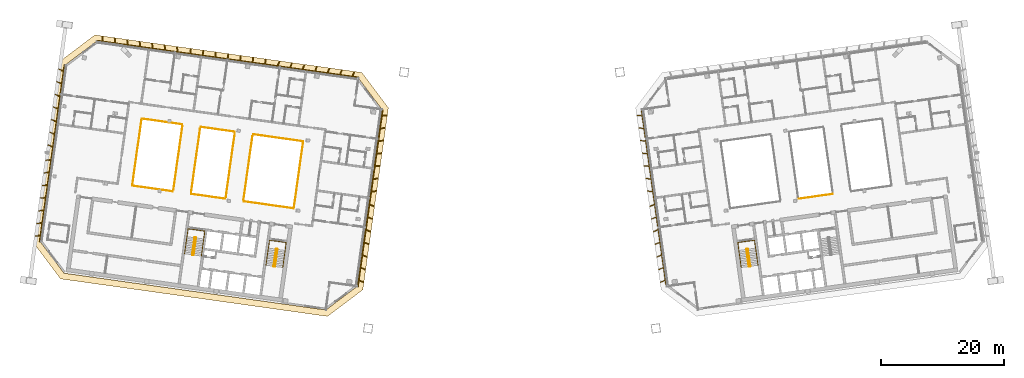
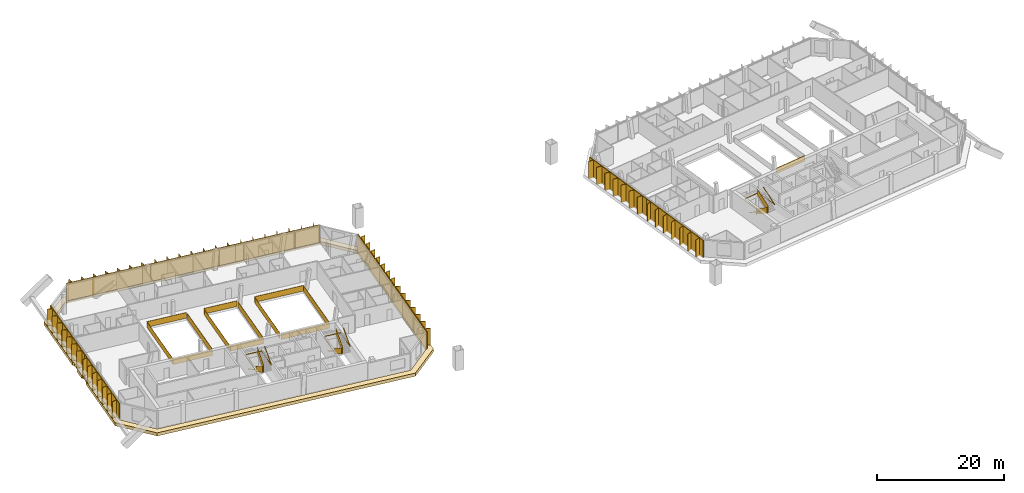
# One storey, part 25 of 26: 15 railings, 9 shading devices, 1 covering.
"""IFC4 building model written with IfcOpenShell, lengths in metres."""

from ifc_helpers import new_model, si_unit, direction, frame, origin, origin_2d, place, context, subcontext, project, spatial, polyline, rectangle, outline, extrude, material, layer, layer_set, type_object, element, save


model = new_model("IFC4")

# Units and contexts
model_context = context("Model", 3, precision=1e-05, world=origin(), true_north=direction((0.0, 1.0)))
body_context = subcontext(model_context, "Body", "Model", "MODEL_VIEW")
ifc_project = project(units=[si_unit("LENGTHUNIT", "METRE"), si_unit("AREAUNIT", "SQUARE_METRE"), si_unit("VOLUMEUNIT", "CUBIC_METRE"), si_unit("PLANEANGLEUNIT", "RADIAN"), si_unit("MASSUNIT", "GRAM", prefix="KILO")], contexts=[model_context])

# Site, building, storey
site_placement = place(None, origin())
site = spatial("IfcSite", under=ifc_project, at=site_placement, CompositionType="ELEMENT")
building_placement = place(site_placement, origin())
building = spatial("IfcBuilding", under=site, at=building_placement, Name="Mirante Cascada Hotel Towers", CompositionType="ELEMENT")
storey_placement = place(building_placement, frame((0.0, 0.0, 228.0)))
storey = spatial("IfcBuildingStorey", under=building, at=storey_placement, Name="L54", CompositionType="ELEMENT", Elevation=228.0)

# Railings
ifc_material_1 = material(Name="Toughened glass with stainless steel handrail", Category="steel")
railing_type_1 = type_object("IfcRailingType", Name="Atrium guard 1100 glass balustrade", PredefinedType="GUARDRAIL", material=ifc_material_1)
railing_1_placement = place(storey_placement, frame((-42.0505, 7.3683, 0.0)))
element("IfcRailing", 1, at=railing_1_placement, inside=storey, type_object=railing_type_1, Name="GUARD 1-L54-1", PredefinedType="GUARDRAIL", context=body_context, shape_type="SweptSolid", body=[
    extrude(rectangle(XDim=0.048, YDim=0.048, at=origin_2d()), frame((0.0, 0.0, 1.076), z_axis=(0.9902677, -0.1391758, 0.0), x_axis=(0.1391758, 0.9902677, 0.0)), (0.0, 0.0, 1.0), 8.2371),
    extrude(rectangle(XDim=0.02, YDim=1.052, at=origin_2d()), frame((0.0, 0.0, 0.526), z_axis=(0.9902677, -0.1391758, 0.0), x_axis=(0.1391758, 0.9902677, 0.0)), (0.0, 0.0, 1.0), 8.2371),
    extrude(rectangle(XDim=0.048, YDim=0.048, at=origin_2d()), frame((8.1569, -1.1464, 1.076), z_axis=(-0.1391733, -0.990268, 0.0), x_axis=(0.990268, -0.1391733, 0.0)), (0.0, 0.0, 1.0), 11.0),
    extrude(rectangle(XDim=0.02, YDim=1.052, at=origin_2d()), frame((8.1569, -1.1464, 0.526), z_axis=(-0.1391733, -0.990268, 0.0), x_axis=(0.990268, -0.1391733, 0.0)), (0.0, 0.0, 1.0), 11.0),
    extrude(rectangle(XDim=0.048, YDim=0.048, at=origin_2d()), frame((6.626, -12.0393, 1.076), z_axis=(-0.9902694, 0.1391639, 0.0), x_axis=(-0.1391639, -0.9902694, 0.0)), (0.0, 0.0, 1.0), 8.2371),
    extrude(rectangle(XDim=0.02, YDim=1.052, at=origin_2d()), frame((6.626, -12.0393, 0.526), z_axis=(-0.9902694, 0.1391639, 0.0), x_axis=(-0.1391639, -0.9902694, 0.0)), (0.0, 0.0, 1.0), 8.2371),
])
railing_2_placement = place(storey_placement, frame((-46.5522, -3.1072, 0.0)))
element("IfcRailing", 2, at=railing_2_placement, inside=storey, type_object=railing_type_1, Name="GUARD 1-L54-2", PredefinedType="GUARDRAIL", context=body_context, shape_type="SweptSolid", body=[
    extrude(rectangle(XDim=0.048, YDim=0.048, at=origin_2d()), frame((0.0, 0.0, 1.076), z_axis=(-0.9902669, 0.1391811, 0.0), x_axis=(-0.1391811, -0.9902669, 0.0)), (0.0, 0.0, 1.0), 5.5877),
    extrude(rectangle(XDim=0.02, YDim=1.052, at=origin_2d()), frame((0.0, 0.0, 0.526), z_axis=(-0.9902669, 0.1391811, 0.0), x_axis=(-0.1391811, -0.9902669, 0.0)), (0.0, 0.0, 1.0), 5.5877),
])
railing_3_placement = place(storey_placement, frame((-50.5546, 8.5634, 0.0)))
element("IfcRailing", 3, at=railing_3_placement, inside=storey, type_object=railing_type_1, Name="GUARD 1-L54-3", PredefinedType="GUARDRAIL", context=body_context, shape_type="SweptSolid", body=[
    extrude(rectangle(XDim=0.048, YDim=0.048, at=origin_2d()), frame((0.0, 0.0, 1.076), z_axis=(0.9902694, -0.1391635, 0.0), x_axis=(0.1391635, 0.9902694, 0.0)), (0.0, 0.0, 1.0), 5.5877),
    extrude(rectangle(XDim=0.02, YDim=1.052, at=origin_2d()), frame((0.0, 0.0, 0.526), z_axis=(0.9902694, -0.1391635, 0.0), x_axis=(0.1391635, 0.9902694, 0.0)), (0.0, 0.0, 1.0), 5.5877),
])
railing_4_placement = place(storey_placement, frame((-55.0563, -1.912, 0.0)))
element("IfcRailing", 4, at=railing_4_placement, inside=storey, type_object=railing_type_1, Name="GUARD 1-L54-4", PredefinedType="GUARDRAIL", context=body_context, shape_type="SweptSolid", body=[
    extrude(rectangle(XDim=0.048, YDim=0.048, at=origin_2d()), frame((0.0, 0.0, 1.076), z_axis=(-0.9902684, 0.1391706, 0.0), x_axis=(-0.1391706, -0.9902684, 0.0)), (0.0, 0.0, 1.0), 6.6753),
    extrude(rectangle(XDim=0.02, YDim=1.052, at=origin_2d()), frame((0.0, 0.0, 0.526), z_axis=(-0.9902684, 0.1391706, 0.0), x_axis=(-0.1391706, -0.9902684, 0.0)), (0.0, 0.0, 1.0), 6.6753),
    extrude(rectangle(XDim=0.048, YDim=0.048, at=origin_2d()), frame((-6.6103, 0.929, 1.076), z_axis=(0.1391721, 0.9902682, 0.0), x_axis=(-0.9902682, 0.1391721, 0.0)), (0.0, 0.0, 1.0), 11.0001),
    extrude(rectangle(XDim=0.02, YDim=1.052, at=origin_2d()), frame((-6.6103, 0.929, 0.526), z_axis=(0.1391721, 0.9902682, 0.0), x_axis=(-0.9902682, 0.1391721, 0.0)), (0.0, 0.0, 1.0), 11.0001),
    extrude(rectangle(XDim=0.048, YDim=0.048, at=origin_2d()), frame((-5.0794, 11.822, 1.076), z_axis=(0.9902684, -0.1391706, 0.0), x_axis=(0.1391706, 0.9902684, 0.0)), (0.0, 0.0, 1.0), 6.6753),
    extrude(rectangle(XDim=0.02, YDim=1.052, at=origin_2d()), frame((-5.0794, 11.822, 0.526), z_axis=(0.9902684, -0.1391706, 0.0), x_axis=(0.1391706, 0.9902684, 0.0)), (0.0, 0.0, 1.0), 6.6753),
])
railing_5_placement = place(storey_placement, frame((-54.9666, -1.626, 0.0)))
element("IfcRailing", 5, at=railing_5_placement, inside=storey, type_object=railing_type_1, Name="GUARD 1-L54-5", PredefinedType="GUARDRAIL", context=body_context, shape_type="SweptSolid", body=[
    extrude(rectangle(XDim=0.048, YDim=0.048, at=origin_2d()), frame((0.0, 0.0, 1.076), z_axis=(0.1391721, 0.9902682, 0.0), x_axis=(-0.9902682, 0.1391721, 0.0)), (0.0, 0.0, 1.0), 10.4087),
    extrude(rectangle(XDim=0.02, YDim=1.052, at=origin_2d()), frame((0.0, 0.0, 0.526), z_axis=(0.1391721, 0.9902682, 0.0), x_axis=(-0.9902682, 0.1391721, 0.0)), (0.0, 0.0, 1.0), 10.4087),
])
railing_6_placement = place(storey_placement, frame((-50.6443, 8.2775, 0.0)))
element("IfcRailing", 6, at=railing_6_placement, inside=storey, type_object=railing_type_1, Name="GUARD 1-L54-6", PredefinedType="GUARDRAIL", context=body_context, shape_type="SweptSolid", body=[
    extrude(rectangle(XDim=0.048, YDim=0.048, at=origin_2d()), frame((0.0, 0.0, 1.076), z_axis=(-0.1391721, -0.9902682, 0.0), x_axis=(0.9902682, -0.1391721, 0.0)), (0.0, 0.0, 1.0), 10.4087),
    extrude(rectangle(XDim=0.02, YDim=1.052, at=origin_2d()), frame((0.0, 0.0, 0.526), z_axis=(-0.1391721, -0.9902682, 0.0), x_axis=(0.9902682, -0.1391721, 0.0)), (0.0, 0.0, 1.0), 10.4087),
])
railing_7_placement = place(storey_placement, frame((-46.4625, -2.8212, 0.0)))
element("IfcRailing", 7, at=railing_7_placement, inside=storey, type_object=railing_type_1, Name="GUARD 1-L54-7", PredefinedType="GUARDRAIL", context=body_context, shape_type="SweptSolid", body=[
    extrude(rectangle(XDim=0.048, YDim=0.048, at=origin_2d()), frame((0.0, 0.0, 1.076), z_axis=(0.1391721, 0.9902682, 0.0), x_axis=(-0.9902682, 0.1391721, 0.0)), (0.0, 0.0, 1.0), 10.4087),
    extrude(rectangle(XDim=0.02, YDim=1.052, at=origin_2d()), frame((0.0, 0.0, 0.526), z_axis=(0.1391721, 0.9902682, 0.0), x_axis=(-0.9902682, 0.1391721, 0.0)), (0.0, 0.0, 1.0), 10.4087),
])
railing_8_placement = place(storey_placement, frame((-42.1402, 7.0823, 0.0)))
element("IfcRailing", 8, at=railing_8_placement, inside=storey, type_object=railing_type_1, Name="GUARD 1-L54-8", PredefinedType="GUARDRAIL", context=body_context, shape_type="SweptSolid", body=[
    extrude(rectangle(XDim=0.048, YDim=0.048, at=origin_2d()), frame((0.0, 0.0, 1.076), z_axis=(-0.1391721, -0.9902682, 0.0), x_axis=(0.9902682, -0.1391721, 0.0)), (0.0, 0.0, 1.0), 10.4087),
    extrude(rectangle(XDim=0.02, YDim=1.052, at=origin_2d()), frame((0.0, 0.0, 0.526), z_axis=(-0.1391721, -0.9902682, 0.0), x_axis=(0.9902682, -0.1391721, 0.0)), (0.0, 0.0, 1.0), 10.4087),
])
railing_9_placement = place(storey_placement, frame((46.5522, -3.1072, 0.0)))
element("IfcRailing", 9, at=railing_9_placement, inside=storey, type_object=railing_type_1, Name="GUARD 2-L54-2", PredefinedType="GUARDRAIL", context=body_context, shape_type="SweptSolid", body=[
    extrude(rectangle(XDim=0.048, YDim=0.048, at=origin_2d()), frame((0.0, 0.0, 1.076), z_axis=(0.9902669, 0.1391811, 0.0), x_axis=(-0.1391811, 0.9902669, 0.0)), (0.0, 0.0, 1.0), 5.5877),
    extrude(rectangle(XDim=0.02, YDim=1.052, at=origin_2d()), frame((0.0, 0.0, 0.526), z_axis=(0.9902669, 0.1391811, 0.0), x_axis=(-0.1391811, 0.9902669, 0.0)), (0.0, 0.0, 1.0), 5.5877),
])

# Covering
ifc_material_2 = material(Name="Precast concrete C40/50 white", Category="concrete")
ifc_layer = layer(ifc_material_2, 0.6)
ifc_layer_set = layer_set([ifc_layer], Name="Precast concrete SUNSHADE band 1000x600")
covering_type = type_object("IfcCoveringType", Name="Precast concrete SUNSHADE band 1000x600", PredefinedType="CLADDING", material=ifc_layer_set)
covering_placement = place(storey_placement, frame((0.0, 0.0, -0.45)))
element("IfcCovering", 10, at=covering_placement, inside=storey, type_object=covering_type, Name="Precast concrete SUNSHADE band T1 L54", PredefinedType="CLADDING", context=body_context, shape_type="SweptSolid", body=[
    extrude(outline(polyline([(-77.628, -10.3671), (-75.9513, 1.5634), (-75.9258, 1.57), (-75.8922, 1.5823), (-75.86, 1.5979), (-75.8294, 1.6166), (-75.8008, 1.6382), (-75.7745, 1.6625), (-75.7507, 1.6892), (-75.7296, 1.7182), (-75.7114, 1.7491), (-75.6964, 1.7816), (-75.6846, 1.8154), (-75.6762, 1.8502), (-75.4599, 2.9888), (-75.4549, 3.0243), (-75.4535, 3.06), (-75.4555, 3.0958), (-75.4611, 3.1312), (-75.4701, 3.1659), (-75.4824, 3.1995), (-75.498, 3.2317), (-75.5167, 3.2623), (-75.5383, 3.2909), (-75.5626, 3.3172), (-75.5893, 3.341), (-75.6183, 3.3621), (-75.6492, 3.3803), (-75.6817, 3.3953), (-75.6932, 3.3993), (-75.4114, 5.4046), (-75.3992, 5.4053), (-75.3638, 5.4108), (-75.3291, 5.4197), (-75.2955, 5.432), (-75.2632, 5.4475), (-75.2326, 5.4661), (-75.204, 5.4877), (-75.1776, 5.5119), (-75.1537, 5.5386), (-75.1326, 5.5675), (-75.1143, 5.5984), (-75.0993, 5.6308), (-75.0874, 5.6646), (-75.0789, 5.6994), (-75.0739, 5.7349), (-74.9681, 6.889), (-74.9665, 6.9248), (-74.9685, 6.9606), (-74.974, 6.9959), (-74.983, 7.0306), (-74.9953, 7.0643), (-75.0108, 7.0966), (-75.0294, 7.1272), (-75.0509, 7.1558), (-75.0752, 7.1822), (-75.1019, 7.206), (-75.1308, 7.2272), (-75.1534, 7.2405), (-73.4767, 19.171), (-67.7326, 23.4995), (-24.3918, 17.4084), (-20.0633, 11.6643), (-24.2146, -17.8739), (-29.9587, -22.2024), (-73.2995, -16.1112), (-77.628, -10.3671)]), holes=[polyline([(-21.1112, 11.3933), (-24.9412, 16.4758), (-67.4616, 22.4516), (-72.5441, 18.6217), (-76.5801, -10.0961), (-72.7501, -15.1786), (-30.2297, -21.1544), (-25.1473, -17.3245), (-21.1112, 11.3933)])]), origin(), (0.0, 0.0, 1.0), 0.6),
])

# Railings
ifc_material_3 = material(Name="Painted steel", Category="steel")
railing_type_2 = type_object("IfcRailingType", Name="Stair guard 1100 steel balustrade", PredefinedType="GUARDRAIL", material=ifc_material_3)
railing_10_placement = place(storey_placement, frame((-38.1178, -11.2603, 0.0)))
element("IfcRailing", 11, at=railing_10_placement, inside=storey, type_object=railing_type_2, Name="L54 ST1-A stair guard 1", PredefinedType="GUARDRAIL", context=body_context, shape_type="SweptSolid", body=[
    extrude(rectangle(XDim=0.048, YDim=0.048, at=origin_2d()), frame((0.0, 0.0, 1.076), z_axis=(-0.9903326, 0.1387133, 0.0), x_axis=(-0.1387133, -0.9903326, 0.0)), (0.0, 0.0, 1.0), 0.1499),
    extrude(rectangle(XDim=0.02, YDim=1.052, at=origin_2d()), frame((0.0, 0.0, 0.526), z_axis=(-0.9903326, 0.1387133, 0.0), x_axis=(-0.1387133, -0.9903326, 0.0)), (0.0, 0.0, 1.0), 0.1499),
    extrude(rectangle(XDim=0.048, YDim=0.048, at=origin_2d()), frame((-0.1485, 0.0208, 1.076), z_axis=(-0.7991505, -0.6011309, 0.0), x_axis=(0.6011309, -0.7991505, 0.0)), (0.0, 0.9254529, 0.3788627), 0.1866),
    extrude(rectangle(XDim=0.02, YDim=1.052, at=origin_2d()), frame((-0.1485, 0.0208, 0.526), z_axis=(-0.7991505, -0.6011309, 0.0), x_axis=(0.6011309, -0.7991505, 0.0)), (0.0, 0.9254529, 0.3788627), 0.1866),
    extrude(rectangle(XDim=0.048, YDim=0.048, at=origin_2d()), frame((-0.205, -0.0217, 1.2487), z_axis=(-0.139176, -0.9902677, 0.0), x_axis=(0.9902677, -0.139176, 0.0)), (0.0, 0.5250212, 0.8510891), 3.29),
    extrude(rectangle(XDim=0.02, YDim=1.052, at=origin_2d()), frame((-0.205, -0.0217, 0.6987), z_axis=(-0.139176, -0.9902677, 0.0), x_axis=(0.9902677, -0.139176, 0.0)), (0.0, 0.5250212, 0.8510891), 3.29),
    extrude(rectangle(XDim=0.048, YDim=0.048, at=origin_2d()), frame((-0.5947, -2.7945, 2.976), z_axis=(0.9270311, -0.3749843, 0.0), x_axis=(0.3749843, 0.9270311, 0.0)), (0.0, 0.0, 1.0), 0.2061),
    extrude(rectangle(XDim=0.02, YDim=1.052, at=origin_2d()), frame((-0.5947, -2.7945, 2.426), z_axis=(0.9270311, -0.3749843, 0.0), x_axis=(0.3749843, 0.9270311, 0.0)), (0.0, 0.0, 1.0), 0.2061),
    extrude(rectangle(XDim=0.048, YDim=0.048, at=origin_2d()), frame((-0.4036, -2.8718, 2.976), z_axis=(-0.9902408, 0.1393672, 0.0), x_axis=(-0.1393672, -0.9902408, 0.0)), (0.0, 0.0, 1.0), 0.15),
    extrude(rectangle(XDim=0.02, YDim=1.052, at=origin_2d()), frame((-0.4036, -2.8718, 2.426), z_axis=(-0.9902408, 0.1393672, 0.0), x_axis=(-0.1393672, -0.9902408, 0.0)), (0.0, 0.0, 1.0), 0.15),
    extrude(rectangle(XDim=0.048, YDim=0.048, at=origin_2d()), frame((-0.5521, -2.8509, 2.976), z_axis=(0.9944948, 0.1047858, 0.0), x_axis=(-0.1047858, 0.9944948, 0.0)), (0.0, 0.6422034, 0.7665343), 0.2689),
    extrude(rectangle(XDim=0.02, YDim=1.052, at=origin_2d()), frame((-0.5521, -2.8509, 2.426), z_axis=(0.9944948, 0.1047858, 0.0), x_axis=(-0.1047858, 0.9944948, 0.0)), (0.0, 0.6422034, 0.7665343), 0.2689),
    extrude(rectangle(XDim=0.048, YDim=0.048, at=origin_2d()), frame((-0.3471, -2.8293, 3.1487), z_axis=(0.139176, 0.9902677, 0.0), x_axis=(-0.9902677, 0.139176, 0.0)), (0.0, 0.5250212, 0.8510891), 3.29),
    extrude(rectangle(XDim=0.02, YDim=1.052, at=origin_2d()), frame((-0.3471, -2.8293, 2.5987), z_axis=(0.139176, 0.9902677, 0.0), x_axis=(-0.9902677, 0.139176, 0.0)), (0.0, 0.5250212, 0.8510891), 3.29),
])
railing_11_placement = place(storey_placement, frame((-51.3379, -9.4024, 0.0)))
element("IfcRailing", 12, at=railing_11_placement, inside=storey, type_object=railing_type_2, Name="L54 ST1-B stair guard 1", PredefinedType="GUARDRAIL", context=body_context, shape_type="SweptSolid", body=[
    extrude(rectangle(XDim=0.048, YDim=0.048, at=origin_2d()), frame((0.0, 0.0, 1.076), z_axis=(-0.9902408, 0.1393672, 0.0), x_axis=(-0.1393672, -0.9902408, 0.0)), (0.0, 0.0, 1.0), 0.15),
    extrude(rectangle(XDim=0.02, YDim=1.052, at=origin_2d()), frame((0.0, 0.0, 0.526), z_axis=(-0.9902408, 0.1393672, 0.0), x_axis=(-0.1393672, -0.9902408, 0.0)), (0.0, 0.0, 1.0), 0.15),
    extrude(rectangle(XDim=0.048, YDim=0.048, at=origin_2d()), frame((-0.1485, 0.0209, 1.076), z_axis=(-0.7984711, -0.6020331, 0.0), x_axis=(0.6020331, -0.7984711, 0.0)), (0.0, 0.9253398, 0.3791387), 0.1866),
    extrude(rectangle(XDim=0.02, YDim=1.052, at=origin_2d()), frame((-0.1485, 0.0209, 0.526), z_axis=(-0.7984711, -0.6020331, 0.0), x_axis=(0.6020331, -0.7984711, 0.0)), (0.0, 0.9253398, 0.3791387), 0.1866),
    extrude(rectangle(XDim=0.048, YDim=0.048, at=origin_2d()), frame((-0.205, -0.0217, 1.2487), z_axis=(-0.139181, -0.990267, 0.0), x_axis=(0.990267, -0.139181, 0.0)), (0.0, 0.5250347, 0.8510808), 3.2899),
    extrude(rectangle(XDim=0.02, YDim=1.052, at=origin_2d()), frame((-0.205, -0.0217, 0.6987), z_axis=(-0.139181, -0.990267, 0.0), x_axis=(0.990267, -0.139181, 0.0)), (0.0, 0.5250347, 0.8510808), 3.2899),
    extrude(rectangle(XDim=0.048, YDim=0.048, at=origin_2d()), frame((-0.5947, -2.7944, 2.976), z_axis=(0.9268624, -0.3754011, 0.0), x_axis=(0.3754011, 0.9268624, 0.0)), (0.0, 0.0, 1.0), 0.2062),
    extrude(rectangle(XDim=0.02, YDim=1.052, at=origin_2d()), frame((-0.5947, -2.7944, 2.426), z_axis=(0.9268624, -0.3754011, 0.0), x_axis=(0.3754011, 0.9268624, 0.0)), (0.0, 0.0, 1.0), 0.2062),
    extrude(rectangle(XDim=0.048, YDim=0.048, at=origin_2d()), frame((-0.4036, -2.8718, 2.976), z_axis=(-0.9902408, 0.1393672, 0.0), x_axis=(-0.1393672, -0.9902408, 0.0)), (0.0, 0.0, 1.0), 0.15),
    extrude(rectangle(XDim=0.02, YDim=1.052, at=origin_2d()), frame((-0.4036, -2.8718, 2.426), z_axis=(-0.9902408, 0.1393672, 0.0), x_axis=(-0.1393672, -0.9902408, 0.0)), (0.0, 0.0, 1.0), 0.15),
    extrude(rectangle(XDim=0.048, YDim=0.048, at=origin_2d()), frame((-0.5521, -2.8509, 2.976), z_axis=(0.9944441, 0.1052656, 0.0), x_axis=(-0.1052656, 0.9944441, 0.0)), (0.0, 0.6421842, 0.7665504), 0.2689),
    extrude(rectangle(XDim=0.02, YDim=1.052, at=origin_2d()), frame((-0.5521, -2.8509, 2.426), z_axis=(0.9944441, 0.1052656, 0.0), x_axis=(-0.1052656, 0.9944441, 0.0)), (0.0, 0.6421842, 0.7665504), 0.2689),
    extrude(rectangle(XDim=0.048, YDim=0.048, at=origin_2d()), frame((-0.3471, -2.8292, 3.1487), z_axis=(0.139181, 0.990267, 0.0), x_axis=(-0.990267, 0.139181, 0.0)), (0.0, 0.5250347, 0.8510808), 3.2899),
    extrude(rectangle(XDim=0.02, YDim=1.052, at=origin_2d()), frame((-0.3471, -2.8292, 2.5987), z_axis=(0.139181, 0.990267, 0.0), x_axis=(-0.990267, 0.139181, 0.0)), (0.0, 0.5250347, 0.8510808), 3.2899),
])
railing_12_placement = place(storey_placement, frame((38.2663, -11.2395, 0.0)))
element("IfcRailing", 13, at=railing_12_placement, inside=storey, type_object=railing_type_2, Name="L54 ST2-A stair guard 1", PredefinedType="GUARDRAIL", context=body_context, shape_type="SweptSolid", body=[
    extrude(rectangle(XDim=0.048, YDim=0.048, at=origin_2d()), frame((0.0, 0.0, 1.076), z_axis=(-0.9903326, -0.1387133, 0.0), x_axis=(0.1387133, -0.9903326, 0.0)), (0.0, 0.0, 1.0), 0.1499),
    extrude(rectangle(XDim=0.02, YDim=1.052, at=origin_2d()), frame((0.0, 0.0, 0.526), z_axis=(-0.9903326, -0.1387133, 0.0), x_axis=(0.1387133, -0.9903326, 0.0)), (0.0, 0.0, 1.0), 0.1499),
    extrude(rectangle(XDim=0.048, YDim=0.048, at=origin_2d()), frame((-0.1485, -0.0208, 1.076), z_axis=(-0.6020331, -0.7984711, 0.0), x_axis=(0.7984711, -0.6020331, 0.0)), (0.0, 0.9253398, 0.3791387), 0.1866),
    extrude(rectangle(XDim=0.02, YDim=1.052, at=origin_2d()), frame((-0.1485, -0.0208, 0.526), z_axis=(-0.6020331, -0.7984711, 0.0), x_axis=(0.7984711, -0.6020331, 0.0)), (0.0, 0.9253398, 0.3791387), 0.1866),
    extrude(rectangle(XDim=0.048, YDim=0.048, at=origin_2d()), frame((-0.1911, -0.0773, 1.2487), z_axis=(0.139176, -0.9902677, 0.0), x_axis=(0.9902677, 0.139176, 0.0)), (0.0, 0.5250212, 0.8510891), 3.29),
    extrude(rectangle(XDim=0.02, YDim=1.052, at=origin_2d()), frame((-0.1911, -0.0773, 0.6987), z_axis=(0.139176, -0.9902677, 0.0), x_axis=(0.9902677, 0.139176, 0.0)), (0.0, 0.5250212, 0.8510891), 3.29),
    extrude(rectangle(XDim=0.048, YDim=0.048, at=origin_2d()), frame((0.1986, -2.8501, 2.976), z_axis=(0.9944948, -0.1047858, 0.0), x_axis=(0.1047858, 0.9944948, 0.0)), (0.0, 0.0, 1.0), 0.2061),
    extrude(rectangle(XDim=0.02, YDim=1.052, at=origin_2d()), frame((0.1986, -2.8501, 2.426), z_axis=(0.9944948, -0.1047858, 0.0), x_axis=(0.1047858, 0.9944948, 0.0)), (0.0, 0.0, 1.0), 0.2061),
    extrude(rectangle(XDim=0.048, YDim=0.048, at=origin_2d()), frame((0.4036, -2.8717, 2.976), z_axis=(-0.9902408, -0.1393672, 0.0), x_axis=(0.1393672, -0.9902408, 0.0)), (0.0, 0.0, 1.0), 0.15),
    extrude(rectangle(XDim=0.02, YDim=1.052, at=origin_2d()), frame((0.4036, -2.8717, 2.426), z_axis=(-0.9902408, -0.1393672, 0.0), x_axis=(0.1393672, -0.9902408, 0.0)), (0.0, 0.0, 1.0), 0.15),
    extrude(rectangle(XDim=0.048, YDim=0.048, at=origin_2d()), frame((0.2551, -2.8926, 2.976), z_axis=(0.9270311, 0.3749843, 0.0), x_axis=(-0.3749843, 0.9270311, 0.0)), (0.0, 0.6421903, 0.7665452), 0.2689),
    extrude(rectangle(XDim=0.02, YDim=1.052, at=origin_2d()), frame((0.2551, -2.8926, 2.426), z_axis=(0.9270311, 0.3749843, 0.0), x_axis=(-0.3749843, 0.9270311, 0.0)), (0.0, 0.6421903, 0.7665452), 0.2689),
    extrude(rectangle(XDim=0.048, YDim=0.048, at=origin_2d()), frame((0.4462, -2.8153, 3.1487), z_axis=(-0.139176, 0.9902677, 0.0), x_axis=(-0.9902677, -0.139176, 0.0)), (0.0, 0.5250212, 0.8510891), 3.29),
    extrude(rectangle(XDim=0.02, YDim=1.052, at=origin_2d()), frame((0.4462, -2.8153, 2.5987), z_axis=(-0.139176, 0.9902677, 0.0), x_axis=(-0.9902677, -0.139176, 0.0)), (0.0, 0.5250212, 0.8510891), 3.29),
])
ifc_material_4 = material(Name="Painted steel", Category="steel")
railing_type_3 = type_object("IfcRailingType", Name="Stair handrail 900 steel tube", PredefinedType="HANDRAIL", material=ifc_material_4)
railing_13_placement = place(storey_placement, frame((-39.5606, -11.1081, 0.1727)))
element("IfcRailing", 14, at=railing_13_placement, inside=storey, type_object=railing_type_3, Name="L54 ST1-A stair handrail 1", PredefinedType="HANDRAIL", context=body_context, shape_type="SweptSolid", body=[
    extrude(rectangle(XDim=0.048, YDim=0.048, at=origin_2d()), frame((0.0, 0.0, 0.876), z_axis=(-0.139181, -0.990267, 0.0), x_axis=(0.990267, -0.139181, 0.0)), (0.0, 0.5250347, 0.8510808), 3.2899),
    extrude(rectangle(XDim=0.048, YDim=0.048, at=origin_2d()), frame((-0.3897, -2.7727, 2.6033), z_axis=(0.1391707, 0.9902684, 0.0), x_axis=(-0.9902684, 0.1391707, 0.0)), (0.0, 0.0420846, 0.999114), 4.1036),
    extrude(rectangle(XDim=0.048, YDim=0.048, at=origin_2d()), frame((0.1809, 1.2874, 2.776), z_axis=(0.9902691, -0.1391657, 0.0), x_axis=(0.1391657, 0.9902691, 0.0)), (0.0, 0.0, 1.0), 2.75),
    extrude(rectangle(XDim=0.048, YDim=0.048, at=origin_2d()), frame((2.9041, 0.9047, 2.776), z_axis=(-0.1391707, -0.9902684, 0.0), x_axis=(0.9902684, -0.1391707, 0.0)), (0.0, 0.0, 1.0), 4.1),
    extrude(rectangle(XDim=0.048, YDim=0.048, at=origin_2d()), frame((2.3335, -3.1554, 2.776), z_axis=(0.139181, 0.990267, 0.0), x_axis=(-0.990267, 0.139181, 0.0)), (0.0, 0.5250347, 0.8510808), 3.2899),
])
railing_14_placement = place(storey_placement, frame((-52.7807, -9.2501, 0.1727)))
element("IfcRailing", 15, at=railing_14_placement, inside=storey, type_object=railing_type_3, Name="L54 ST1-B stair handrail 1", PredefinedType="HANDRAIL", context=body_context, shape_type="SweptSolid", body=[
    extrude(rectangle(XDim=0.048, YDim=0.048, at=origin_2d()), frame((0.0, 0.0, 0.876), z_axis=(-0.139181, -0.990267, 0.0), x_axis=(0.990267, -0.139181, 0.0)), (0.0, 0.5250347, 0.8510808), 3.2899),
    extrude(rectangle(XDim=0.048, YDim=0.048, at=origin_2d()), frame((-0.3897, -2.7727, 2.6033), z_axis=(0.1391707, 0.9902684, 0.0), x_axis=(-0.9902684, 0.1391707, 0.0)), (0.0, 0.0420846, 0.999114), 4.1036),
    extrude(rectangle(XDim=0.048, YDim=0.048, at=origin_2d()), frame((0.1809, 1.2874, 2.776), z_axis=(0.9902641, -0.1392013, 0.0), x_axis=(0.1392013, 0.9902641, 0.0)), (0.0, 0.0, 1.0), 2.75),
    extrude(rectangle(XDim=0.048, YDim=0.048, at=origin_2d()), frame((2.9041, 0.9046, 2.776), z_axis=(-0.1391707, -0.9902684, 0.0), x_axis=(0.9902684, -0.1391707, 0.0)), (0.0, 0.0, 1.0), 4.1),
    extrude(rectangle(XDim=0.048, YDim=0.048, at=origin_2d()), frame((2.3335, -3.1555, 2.776), z_axis=(0.139176, 0.9902677, 0.0), x_axis=(-0.9902677, 0.139176, 0.0)), (0.0, 0.5250212, 0.8510891), 3.29),
])
railing_15_placement = place(storey_placement, frame((36.8374, -11.4908, 0.1727)))
element("IfcRailing", 16, at=railing_15_placement, inside=storey, type_object=railing_type_3, Name="L54 ST2-A stair handrail 1", PredefinedType="HANDRAIL", context=body_context, shape_type="SweptSolid", body=[
    extrude(rectangle(XDim=0.048, YDim=0.048, at=origin_2d()), frame((0.0, 0.0, 0.876), z_axis=(0.139181, -0.990267, 0.0), x_axis=(0.990267, 0.139181, 0.0)), (0.0, 0.5250347, 0.8510808), 3.2899),
    extrude(rectangle(XDim=0.048, YDim=0.048, at=origin_2d()), frame((0.3897, -2.7727, 2.6033), z_axis=(-0.1391707, 0.9902684, 0.0), x_axis=(-0.9902684, -0.1391707, 0.0)), (0.0, 0.0420846, 0.999114), 4.1036),
    extrude(rectangle(XDim=0.048, YDim=0.048, at=origin_2d()), frame((-0.1809, 1.2874, 2.776), z_axis=(0.9902691, 0.1391657, 0.0), x_axis=(-0.1391657, 0.9902691, 0.0)), (0.0, 0.0, 1.0), 2.75),
    extrude(rectangle(XDim=0.048, YDim=0.048, at=origin_2d()), frame((2.5423, 1.6701, 2.776), z_axis=(0.1391707, -0.9902684, 0.0), x_axis=(0.9902684, 0.1391707, 0.0)), (0.0, 0.0, 1.0), 4.1),
    extrude(rectangle(XDim=0.048, YDim=0.048, at=origin_2d()), frame((3.1129, -2.39, 2.776), z_axis=(-0.139181, 0.990267, 0.0), x_axis=(-0.990267, -0.139181, 0.0)), (0.0, 0.5250347, 0.8510808), 3.2899),
])

# Shading devices
ifc_material_5 = material(Name="White precast concrete C50/60 fin", Category="concrete")
shading_device_type = type_object("IfcShadingDeviceType", Name="Vertical fin set 4500x900", PredefinedType="USERDEFINED", material=ifc_material_5)
shading_device_1_placement = place(storey_placement, origin())
element("IfcShadingDevice", 17, at=shading_device_1_placement, inside=storey, type_object=shading_device_type, Name="FIN T1 L54 front 1", ObjectType="FIN", PredefinedType="USERDEFINED", context=body_context, shape_type="SweptSolid", body=[
    extrude(outline(polyline([(-54.2519, 20.7466), (-53.2672, 20.6082), (-53.2881, 20.4597), (-67.4616, 22.4516), (-67.4407, 22.6001), (-66.4826, 22.4655), (-66.5846, 23.2968), (-66.5052, 23.3065), (-66.4006, 22.454), (-64.4578, 22.1809), (-64.5599, 23.0122), (-64.4805, 23.022), (-64.3758, 22.1694), (-62.433, 21.8964), (-62.5351, 22.7276), (-62.4557, 22.7374), (-62.351, 21.8848), (-60.4082, 21.6118), (-60.5103, 22.4431), (-60.4309, 22.4528), (-60.3262, 21.6003), (-58.3835, 21.3272), (-58.4855, 22.1585), (-58.4061, 22.1683), (-58.3014, 21.3157), (-56.3587, 21.0427), (-56.4607, 21.8739), (-56.3813, 21.8837), (-56.2767, 21.0311), (-54.3339, 20.7581), (-54.436, 21.5894), (-54.3566, 21.5991), (-54.2519, 20.7466)])), origin(), (0.0, 0.0, 1.0), 3.35),
])
shading_device_2_placement = place(storey_placement, origin())
element("IfcShadingDevice", 18, at=shading_device_2_placement, inside=storey, type_object=shading_device_type, Name="FIN T1 L54 front 2", ObjectType="FIN", PredefinedType="USERDEFINED", context=body_context, shape_type="SweptSolid", body=[
    extrude(outline(polyline([(-40.0665, 18.753), (-39.0938, 18.6162), (-39.1146, 18.4677), (-53.2881, 20.4597), (-53.2672, 20.6082), (-52.2944, 20.4715), (-52.1761, 21.3132), (-52.0969, 21.3021), (-52.2152, 20.4603), (-50.2697, 20.1869), (-50.1514, 21.0286), (-50.0721, 21.0175), (-50.1904, 20.1758), (-48.2449, 19.9023), (-48.1266, 20.7441), (-48.0474, 20.7329), (-48.1657, 19.8912), (-46.2201, 19.6178), (-46.1018, 20.4595), (-46.0226, 20.4484), (-46.1409, 19.6067), (-44.1953, 19.3332), (-44.077, 20.1749), (-43.9978, 20.1638), (-44.1161, 19.3221), (-42.1705, 19.0487), (-42.0522, 19.8904), (-41.973, 19.8792), (-42.0913, 19.0375), (-40.1458, 18.7641), (-40.0275, 19.6058), (-39.9482, 19.5947), (-40.0665, 18.753)])), origin(), (0.0, 0.0, 1.0), 3.35),
])
shading_device_3_placement = place(storey_placement, origin())
element("IfcShadingDevice", 19, at=shading_device_3_placement, inside=storey, type_object=shading_device_type, Name="FIN T1 L54 front 3", ObjectType="FIN", PredefinedType="USERDEFINED", context=body_context, shape_type="SweptSolid", body=[
    extrude(outline(polyline([(-25.8784, 16.7589), (-24.9203, 16.6243), (-24.9412, 16.4758), (-39.1146, 18.4677), (-39.0938, 18.6162), (-38.1091, 18.4779), (-37.7735, 19.2685), (-37.6998, 19.2373), (-38.0271, 18.4663), (-36.0843, 18.1933), (-35.7487, 18.984), (-35.6751, 18.9527), (-36.0023, 18.1818), (-34.0595, 17.9087), (-33.7239, 18.6994), (-33.6503, 18.6681), (-33.9775, 17.8972), (-32.0348, 17.6242), (-31.6991, 18.4148), (-31.6255, 18.3836), (-31.9527, 17.6126), (-30.01, 17.3396), (-29.6744, 18.1303), (-29.6007, 18.099), (-29.928, 17.3281), (-27.9852, 17.055), (-27.6496, 17.8457), (-27.5759, 17.8144), (-27.9032, 17.0435), (-25.9604, 16.7705), (-25.6248, 17.5611), (-25.5512, 17.5299), (-25.8784, 16.7589)])), origin(), (0.0, 0.0, 1.0), 3.35),
])
shading_device_4_placement = place(storey_placement, origin())
element("IfcShadingDevice", 20, at=shading_device_4_placement, inside=storey, type_object=shading_device_type, Name="FIN T1 L54 inner 1", ObjectType="FIN", PredefinedType="USERDEFINED", context=body_context, shape_type="SweptSolid", body=[
    extrude(outline(polyline([(-22.8405, -1.9886), (-22.9807, -2.9865), (-23.1292, -2.9656), (-21.1112, 11.3933), (-20.9627, 11.3724), (-21.0992, 10.401), (-20.2679, 10.5031), (-20.2582, 10.4237), (-21.1107, 10.319), (-21.3875, 8.3498), (-20.5562, 8.4518), (-20.5465, 8.3724), (-21.399, 8.2677), (-21.6758, 6.2985), (-20.8445, 6.4006), (-20.8348, 6.3212), (-21.6873, 6.2165), (-21.9641, 4.2472), (-21.1328, 4.3493), (-21.123, 4.2699), (-21.9756, 4.1652), (-22.2524, 2.196), (-21.4211, 2.298), (-21.4113, 2.2186), (-22.2639, 2.1139), (-22.5406, 0.1447), (-21.7094, 0.2467), (-21.6996, 0.1673), (-22.5522, 0.0627), (-22.8289, -1.9066), (-21.9977, -1.8045), (-21.9879, -1.8839), (-22.8405, -1.9886)])), origin(), (0.0, 0.0, 1.0), 3.35),
])
shading_device_5_placement = place(storey_placement, origin())
element("IfcShadingDevice", 21, at=shading_device_5_placement, inside=storey, type_object=shading_device_type, Name="FIN T1 L54 inner 2", ObjectType="FIN", PredefinedType="USERDEFINED", context=body_context, shape_type="SweptSolid", body=[
    extrude(outline(polyline([(-24.8622, -16.374), (-24.9987, -17.3454), (-25.1473, -17.3245), (-23.1292, -2.9656), (-22.9807, -2.9865), (-23.121, -3.9844), (-22.3303, -4.32), (-22.3615, -4.3937), (-23.1325, -4.0664), (-23.4092, -6.0357), (-22.6186, -6.3713), (-22.6498, -6.4449), (-23.4208, -6.1177), (-23.6975, -8.0869), (-22.9069, -8.4226), (-22.9381, -8.4962), (-23.7091, -8.1689), (-23.9858, -10.1382), (-23.1951, -10.4738), (-23.2264, -10.5475), (-23.9973, -10.2202), (-24.2741, -12.1895), (-23.4834, -12.5251), (-23.5147, -12.5987), (-24.2856, -12.2715), (-24.5624, -14.2407), (-23.7717, -14.5764), (-23.803, -14.65), (-24.5739, -14.3228), (-24.8507, -16.292), (-24.06, -16.6276), (-24.0913, -16.7013), (-24.8622, -16.374)])), origin(), (0.0, 0.0, 1.0), 3.35),
])
shading_device_6_placement = place(storey_placement, origin())
element("IfcShadingDevice", 22, at=shading_device_6_placement, inside=storey, type_object=shading_device_type, Name="FIN T1 L54 outer 1", ObjectType="FIN", PredefinedType="USERDEFINED", context=body_context, shape_type="SweptSolid", body=[
    extrude(outline(polyline([(-76.5806, -9.0218), (-76.3038, -7.0526), (-77.1351, -7.1547), (-77.1448, -7.0753), (-76.2923, -6.9706), (-76.0155, -5.0013), (-76.8468, -5.1034), (-76.8565, -5.024), (-76.004, -4.9193), (-75.7272, -2.9501), (-76.5585, -3.0521), (-76.5683, -2.9727), (-75.7157, -2.868), (-75.4389, -0.8988), (-76.2702, -1.0009), (-76.28, -0.9214), (-75.4274, -0.8168), (-75.1507, 1.1525), (-75.9819, 1.0504), (-75.9917, 1.1298), (-75.1391, 1.2345), (-74.8624, 3.2038), (-75.6937, 3.1017), (-75.7034, 3.1811), (-74.8508, 3.2858), (-74.7106, 4.2837), (-74.5621, 4.2628), (-76.5801, -10.0961), (-76.7286, -10.0752), (-76.5921, -9.1039), (-77.4234, -9.2059), (-77.4331, -9.1265), (-76.5806, -9.0218)])), origin(), (0.0, 0.0, 1.0), 3.35),
])
shading_device_7_placement = place(storey_placement, origin())
element("IfcShadingDevice", 23, at=shading_device_7_placement, inside=storey, type_object=shading_device_type, Name="FIN T1 L54 outer 2", ObjectType="FIN", PredefinedType="USERDEFINED", context=body_context, shape_type="SweptSolid", body=[
    extrude(outline(polyline([(-74.5588, 5.3636), (-74.2821, 7.3328), (-75.0727, 7.6684), (-75.0415, 7.7421), (-74.2705, 7.4148), (-73.9938, 9.3841), (-74.7845, 9.7197), (-74.7532, 9.7934), (-73.9823, 9.4661), (-73.7055, 11.4354), (-74.4962, 11.771), (-74.4649, 11.8446), (-73.694, 11.5174), (-73.4172, 13.4866), (-74.2079, 13.8223), (-74.1766, 13.8959), (-73.4057, 13.5687), (-73.1289, 15.5379), (-73.9196, 15.8735), (-73.8883, 15.9472), (-73.1174, 15.6199), (-72.8406, 17.5892), (-73.6313, 17.9248), (-73.6, 17.9984), (-72.8291, 17.6712), (-72.6926, 18.6426), (-72.5441, 18.6217), (-74.5621, 4.2628), (-74.7106, 4.2837), (-74.5704, 5.2816), (-75.361, 5.6172), (-75.3298, 5.6908), (-74.5588, 5.3636)])), origin(), (0.0, 0.0, 1.0), 3.35),
])
shading_device_8_placement = place(storey_placement, origin())
element("IfcShadingDevice", 24, at=shading_device_8_placement, inside=storey, type_object=shading_device_type, Name="FIN T2 L54 inner 1", ObjectType="FIN", PredefinedType="USERDEFINED", context=body_context, shape_type="SweptSolid", body=[
    extrude(outline(polyline([(21.9977, -1.8045), (22.8289, -1.9066), (22.5522, 0.0627), (21.6996, 0.1673), (21.7094, 0.2467), (22.5406, 0.1447), (22.2639, 2.1139), (21.4113, 2.2186), (21.4211, 2.298), (22.2524, 2.196), (21.9756, 4.1652), (21.123, 4.2699), (21.1328, 4.3493), (21.9641, 4.2472), (21.6873, 6.2165), (20.8348, 6.3212), (20.8445, 6.4006), (21.6758, 6.2985), (21.399, 8.2677), (20.5465, 8.3724), (20.5562, 8.4518), (21.3875, 8.3498), (21.1107, 10.319), (20.2582, 10.4237), (20.2679, 10.5031), (21.0992, 10.401), (20.9627, 11.3724), (21.1112, 11.3933), (23.1292, -2.9656), (22.9807, -2.9865), (22.8405, -1.9886), (21.9879, -1.8839), (21.9977, -1.8045)])), origin(), (0.0, 0.0, 1.0), 3.35),
])
shading_device_9_placement = place(storey_placement, origin())
element("IfcShadingDevice", 25, at=shading_device_9_placement, inside=storey, type_object=shading_device_type, Name="FIN T2 L54 inner 2", ObjectType="FIN", PredefinedType="USERDEFINED", context=body_context, shape_type="SweptSolid", body=[
    extrude(outline(polyline([(24.06, -16.6276), (24.8507, -16.292), (24.5739, -14.3228), (23.803, -14.65), (23.7717, -14.5764), (24.5624, -14.2407), (24.2856, -12.2715), (23.5147, -12.5987), (23.4834, -12.5251), (24.2741, -12.1895), (23.9973, -10.2202), (23.2264, -10.5475), (23.1951, -10.4738), (23.9858, -10.1382), (23.7091, -8.1689), (22.9381, -8.4962), (22.9069, -8.4226), (23.6975, -8.0869), (23.4208, -6.1177), (22.6498, -6.4449), (22.6186, -6.3713), (23.4092, -6.0357), (23.1325, -4.0664), (22.3615, -4.3937), (22.3303, -4.32), (23.121, -3.9844), (22.9807, -2.9865), (23.1292, -2.9656), (25.1473, -17.3245), (24.9987, -17.3454), (24.8622, -16.374), (24.0913, -16.7013), (24.06, -16.6276)])), origin(), (0.0, 0.0, 1.0), 3.35),
])

save(model, "model.ifc")
